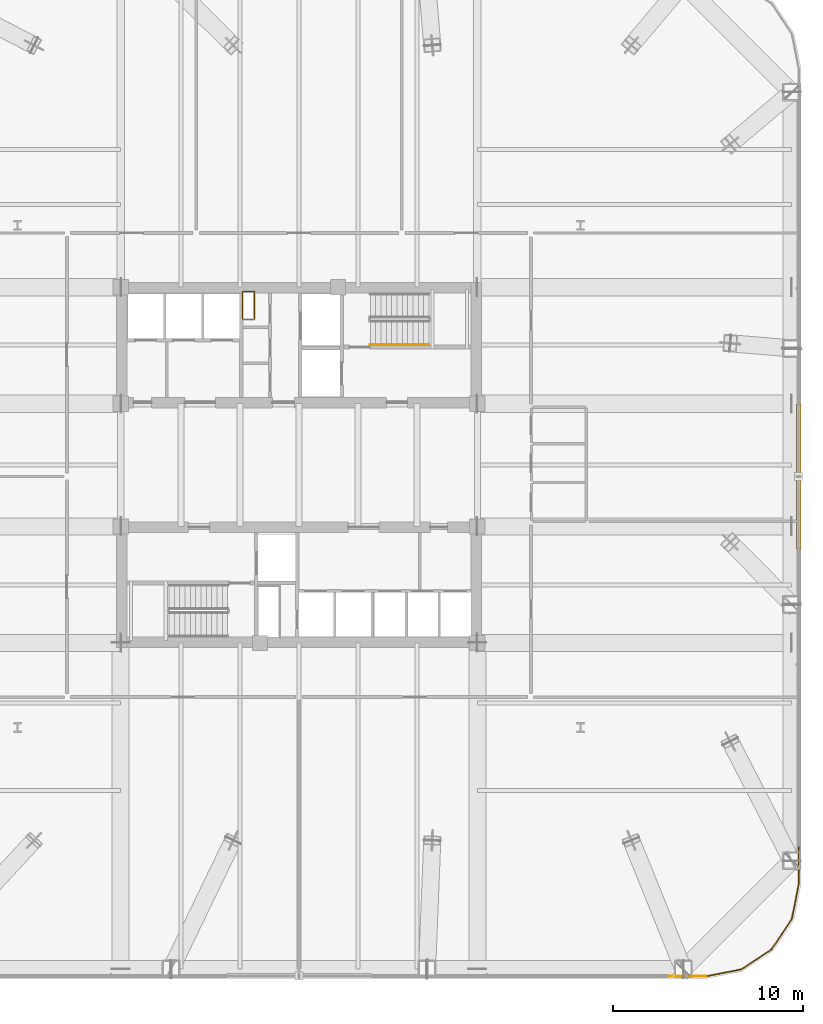
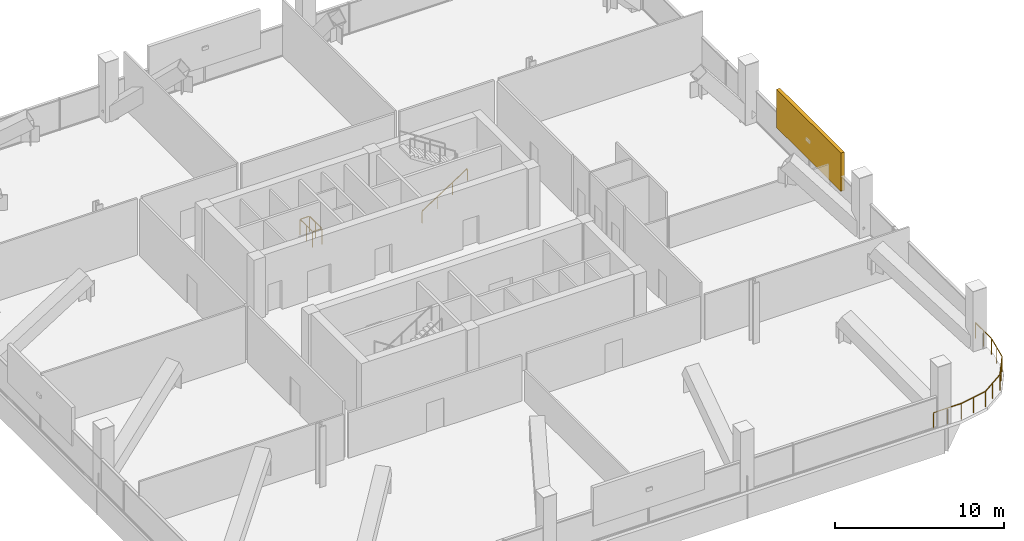
# One storey, part 35 of 38: 4 railings, 1 shading device.
"""IFC4 building model written with IfcOpenShell, lengths in metres."""

from ifc_helpers import new_model, si_unit, direction, frame, origin, origin_2d, place, context, subcontext, project, spatial, rectangle, extrude, material, type_object, element, save


model = new_model("IFC4")

# Units and contexts
model_context = context("Model", 3, precision=1e-05, world=origin(), true_north=direction((0.0, 1.0)))
body_context = subcontext(model_context, "Body", "Model", "MODEL_VIEW")
ifc_project = project(units=[si_unit("LENGTHUNIT", "METRE"), si_unit("AREAUNIT", "SQUARE_METRE"), si_unit("VOLUMEUNIT", "CUBIC_METRE"), si_unit("PLANEANGLEUNIT", "RADIAN"), si_unit("MASSUNIT", "GRAM", prefix="KILO")], contexts=[model_context])

# Site, building, storey
site_placement = place(None, origin())
site = spatial("IfcSite", under=ifc_project, at=site_placement, CompositionType="ELEMENT")
building_placement = place(site_placement, origin())
building = spatial("IfcBuilding", under=site, at=building_placement, Name="Qhalaya Broadcast Tower", CompositionType="ELEMENT")
storey_placement = place(building_placement, frame((0.0, 0.0, 53.550048828125)))
storey = spatial("IfcBuildingStorey", under=building, at=storey_placement, Name="L15", CompositionType="ELEMENT", Elevation=53.550048828125)

# Railings
ifc_material_1 = material(Name="Powder-Coated Galvanised Steel", Category="steel")
railing_type_1 = type_object("IfcRailingType", Name="Stair Wall Handrail 900", PredefinedType="HANDRAIL", material=ifc_material_1)
railing_1_placement = place(storey_placement, frame((3.75, 6.929931640625, 0.18115234375)))
element("IfcRailing", 1, at=railing_1_placement, inside=storey, type_object=railing_type_1, Name="L15 ST-1 Stair Handrail 1", PredefinedType="HANDRAIL", context=body_context, shape_type="SweptSolid", body=[
    extrude(rectangle(XDim=0.048095703125, YDim=0.048095703125, at=origin_2d()), frame((0.0, 0.0, 0.8759765625), z_axis=(0.8394576718, 0.0, 0.543425079708), x_axis=(0.0, 1.0, 0.0)), (0.0, 0.0, 1.0), 3.669189453125),
    extrude(rectangle(XDim=0.0419921875, YDim=0.0419921875, at=origin_2d()), origin(), (0.0, 0.0, 1.0), 0.849853515625),
    extrude(rectangle(XDim=0.0419921875, YDim=0.0419921875, at=origin_2d()), frame((1.026611328125, 0.0, 0.66455078125)), (0.0, 0.0, 1.0), 0.849853515625),
    extrude(rectangle(XDim=0.0419921875, YDim=0.0419921875, at=origin_2d()), frame((2.053466796875, 0.0, 1.329345703125)), (0.0, 0.0, 1.0), 0.849853515625),
    extrude(rectangle(XDim=0.0419921875, YDim=0.0419921875, at=origin_2d()), frame((3.080078125, 0.0, 1.993896484375)), (0.0, 0.0, 1.0), 0.849853515625),
])
railing_type_2 = type_object("IfcRailingType", Name="Stair Well & Landing Guardrail 1100", PredefinedType="GUARDRAIL", material=ifc_material_1)
railing_2_placement = place(storey_placement, frame((-2.340087890625, 8.239990234375, 0.0)))
element("IfcRailing", 2, at=railing_2_placement, inside=storey, type_object=railing_type_2, Name="L15 Service Riser Opening Safety Guard NRSR", PredefinedType="GUARDRAIL", context=body_context, shape_type="SweptSolid", body=[
    extrude(rectangle(XDim=0.048095703125, YDim=0.048095703125, at=origin_2d()), frame((0.0, 0.02880859375, 1.1259765625), z_axis=(0.0, 1.0, 0.0), x_axis=(-1.0, 0.0, 0.0)), (0.0, 0.0, 1.0), 1.42236328125),
    extrude(rectangle(XDim=0.048095703125, YDim=0.048095703125, at=origin_2d()), frame((-0.02880859375, 1.47998046875, 1.1259765625), z_axis=(-1.0, 0.0, 0.0), x_axis=(0.0, -1.0, 0.0)), (0.0, 0.0, 1.0), 0.582275390625),
    extrude(rectangle(XDim=0.048095703125, YDim=0.048095703125, at=origin_2d()), frame((-0.639892578125, 1.451171875, 1.1259765625), z_axis=(0.0, -1.0, 0.0), x_axis=(1.0, 0.0, 0.0)), (0.0, 0.0, 1.0), 1.42236328125),
    extrude(rectangle(XDim=0.048095703125, YDim=0.048095703125, at=origin_2d()), frame((-0.611083984375, 0.0, 1.1259765625), z_axis=(1.0, 0.0, 0.0), x_axis=(0.0, 1.0, 0.0)), (0.0, 0.0, 1.0), 0.582275390625),
    extrude(rectangle(XDim=0.0419921875, YDim=0.0419921875, at=origin_2d()), origin(), (0.0, 0.0, 1.0), 1.099853515625),
    extrude(rectangle(XDim=0.0419921875, YDim=0.0419921875, at=origin_2d()), frame((0.0, 0.739990234375, 0.0)), (0.0, 0.0, 1.0), 1.099853515625),
    extrude(rectangle(XDim=0.0419921875, YDim=0.0419921875, at=origin_2d()), frame((0.0, 1.47998046875, 0.0)), (0.0, 0.0, 1.0), 1.099853515625),
    extrude(rectangle(XDim=0.0419921875, YDim=0.0419921875, at=origin_2d()), frame((-0.639892578125, 1.47998046875, 0.0)), (0.0, 0.0, 1.0), 1.099853515625),
    extrude(rectangle(XDim=0.0419921875, YDim=0.0419921875, at=origin_2d()), frame((-0.639892578125, 0.739990234375, 0.0)), (0.0, 0.0, 1.0), 1.099853515625),
    extrude(rectangle(XDim=0.0419921875, YDim=0.0419921875, at=origin_2d()), frame((-0.639892578125, 0.0, 0.0)), (0.0, 0.0, 1.0), 1.099853515625),
])
railing_type_3 = type_object("IfcRailingType", Name="Terrace, Sky-Pool & Lookout Glass Balustrade 1150", PredefinedType="BALUSTRADE", material=ifc_material_1)
railing_3_placement = place(storey_placement, frame((21.38818359375, -26.280029296875, 0.0)))
element("IfcRailing", 3, at=railing_3_placement, inside=storey, type_object=railing_type_3, Name="L15 Rounded Corner Perimeter Guard 01", PredefinedType="BALUSTRADE", context=body_context, shape_type="SweptSolid", body=[
    extrude(rectangle(XDim=0.048095703125, YDim=0.048095703125, at=origin_2d()), frame((0.0, 0.0, 1.1259765625), z_axis=(-1.0, 0.0, 0.0), x_axis=(0.0, -1.0, 0.0)), (0.0, 0.0, 1.0), 1.90625),
    extrude(rectangle(XDim=0.0419921875, YDim=0.0419921875, at=origin_2d()), origin(), (0.0, 0.0, 1.0), 1.099853515625),
    extrude(rectangle(XDim=0.0419921875, YDim=0.0419921875, at=origin_2d()), frame((-0.953125, 0.0, 0.0)), (0.0, 0.0, 1.0), 1.099853515625),
    extrude(rectangle(XDim=0.0419921875, YDim=0.0419921875, at=origin_2d()), frame((-1.90625, 0.0, 0.0)), (0.0, 0.0, 1.0), 1.099853515625),
])
railing_4_placement = place(storey_placement, frame((26.280029296875, -19.48193359375, 0.0)))
element("IfcRailing", 4, at=railing_4_placement, inside=storey, type_object=railing_type_3, Name="L15 Rounded Corner Perimeter Guard 05", PredefinedType="BALUSTRADE", context=body_context, shape_type="SweptSolid", body=[
    extrude(rectangle(XDim=0.048095703125, YDim=0.048095703125, at=origin_2d()), frame((0.0, 0.0, 1.1259765625), z_axis=(0.0, -1.0, 0.0), x_axis=(1.0, 0.0, 0.0)), (0.0, 0.0, 1.0), 1.87744140625),
    extrude(rectangle(XDim=0.048095703125, YDim=0.048095703125, at=origin_2d()), frame((-0.005615234375, -1.9345703125, 1.1259765625), z_axis=(-0.195037378397, -0.980795810058, 0.0), x_axis=(0.980795810058, -0.195037378397, 0.0)), (0.0, 0.0, 1.0), 1.857421875),
    extrude(rectangle(XDim=0.048095703125, YDim=0.048095703125, at=origin_2d()), frame((-0.3896484375, -3.80859375, 1.1259765625), z_axis=(-0.555558355728, -0.831477548332, 0.0), x_axis=(0.831477548332, -0.555558355728, 0.0)), (0.0, 0.0, 1.0), 1.845458984375),
    extrude(rectangle(XDim=0.048095703125, YDim=0.048095703125, at=origin_2d()), frame((-1.454833984375, -5.38330078125, 1.1259765625), z_axis=(-0.831477548332, -0.555558355728, 0.0), x_axis=(0.555558355728, -0.831477548332, 0.0)), (0.0, 0.0, 1.0), 1.845458984375),
    extrude(rectangle(XDim=0.048095703125, YDim=0.048095703125, at=origin_2d()), frame((-3.041748046875, -6.43017578125, 1.1259765625), z_axis=(-0.980795810058, -0.195037378397, 0.0), x_axis=(0.195037378397, -0.980795810058, 0.0)), (0.0, 0.0, 1.0), 1.88623046875),
    extrude(rectangle(XDim=0.0419921875, YDim=0.0419921875, at=origin_2d()), origin(), (0.0, 0.0, 1.0), 1.099853515625),
    extrude(rectangle(XDim=0.0419921875, YDim=0.0419921875, at=origin_2d()), frame((0.0, -0.953125, 0.0)), (0.0, 0.0, 1.0), 1.099853515625),
    extrude(rectangle(XDim=0.0419921875, YDim=0.0419921875, at=origin_2d()), frame((0.0, -1.90625, 0.0)), (0.0, 0.0, 1.0), 1.099853515625),
    extrude(rectangle(XDim=0.0419921875, YDim=0.0419921875, at=origin_2d()), frame((-0.186767578125, -2.845458984375, 0.0)), (0.0, 0.0, 1.0), 1.099853515625),
    extrude(rectangle(XDim=0.0419921875, YDim=0.0419921875, at=origin_2d()), frame((-0.37353515625, -3.78466796875, 0.0)), (0.0, 0.0, 1.0), 1.099853515625),
    extrude(rectangle(XDim=0.0419921875, YDim=0.0419921875, at=origin_2d()), frame((-0.90234375, -4.575927734375, 0.0)), (0.0, 0.0, 1.0), 1.099853515625),
    extrude(rectangle(XDim=0.0419921875, YDim=0.0419921875, at=origin_2d()), frame((-1.430908203125, -5.3671875, 0.0)), (0.0, 0.0, 1.0), 1.099853515625),
    extrude(rectangle(XDim=0.0419921875, YDim=0.0419921875, at=origin_2d()), frame((-2.22216796875, -5.89599609375, 0.0)), (0.0, 0.0, 1.0), 1.099853515625),
    extrude(rectangle(XDim=0.0419921875, YDim=0.0419921875, at=origin_2d()), frame((-3.013427734375, -6.424560546875, 0.0)), (0.0, 0.0, 1.0), 1.099853515625),
    extrude(rectangle(XDim=0.0419921875, YDim=0.0419921875, at=origin_2d()), frame((-3.95263671875, -6.611328125, 0.0)), (0.0, 0.0, 1.0), 1.099853515625),
    extrude(rectangle(XDim=0.0419921875, YDim=0.0419921875, at=origin_2d()), frame((-4.891845703125, -6.798095703125, 0.0)), (0.0, 0.0, 1.0), 1.099853515625),
])

# Shading device
ifc_material_2 = material(Name="Fired Architectural Terracotta", Category="masonry")
shading_device_type = type_object("IfcShadingDeviceType", Name="Terracotta Baguette Solar Screen Assembly TBS-01", PredefinedType="USERDEFINED", material=ifc_material_2)
shading_device_placement = place(storey_placement, frame((26.260009765625, 0.0, 1.139404296875), z_axis=(0.0, 0.0, 1.0), x_axis=(0.0, 1.0, 0.0)))
element("IfcShadingDevice", 5, at=shading_device_placement, inside=storey, type_object=shading_device_type, Name="L15 Fired Terracotta Baguette Screen E", ObjectType="BAGUETTE", PredefinedType="USERDEFINED", context=body_context, shape_type="SweptSolid", body=[
    extrude(rectangle(XDim=7.60009765625, YDim=0.239990234375, at=origin_2d()), origin(), (0.0, 0.0, 1.0), 2.76806640625),
])

save(model, "model.ifc")
